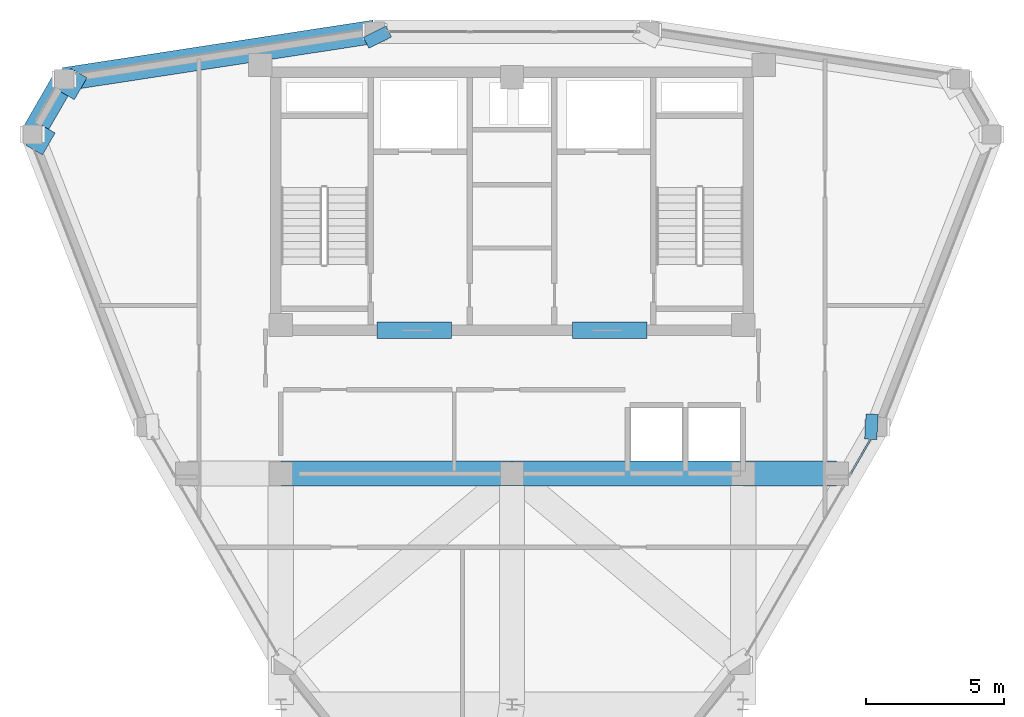
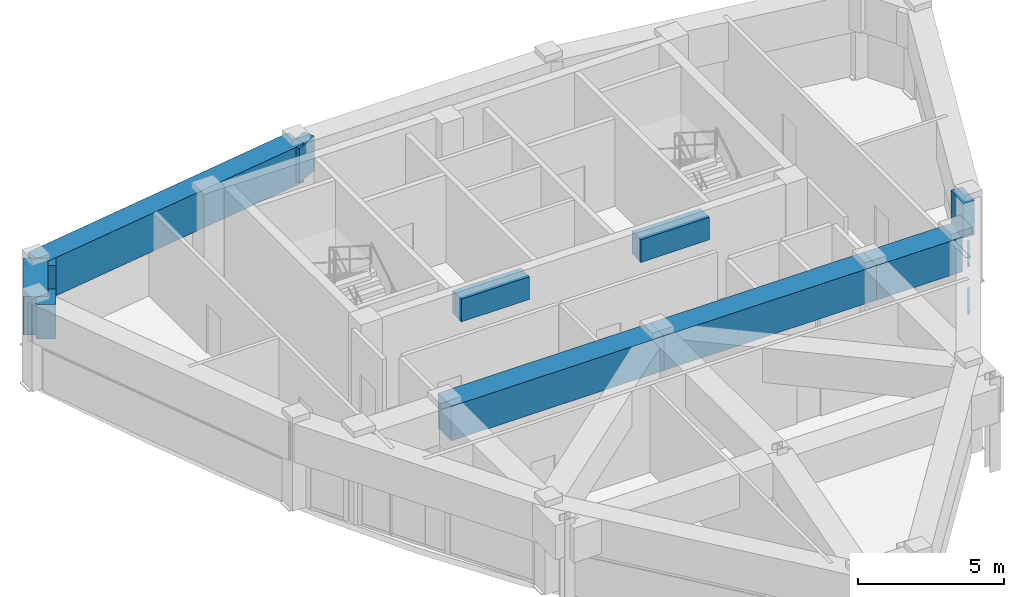
# One storey, part 6 of 13: 11 beams, 2 members, 1 element without a shape of its own.
"""IFC4 building model written with IfcOpenShell, lengths in metres."""

from ifc_helpers import new_model, si_unit, derived_unit, direction, frame, origin, origin_2d, place, context, subcontext, project, spatial, rectangle, hollow_rectangle, extrude, source, transform, mapped, material, layer, layer_set, material_profile, profile_set, type_object, element, aggregate, save


model = new_model("IFC4")

# Units and contexts
model_context = context("Model", 3, precision=1e-05, world=origin(), true_north=direction((0.0, 1.0)))
body_context = subcontext(model_context, "Body", "Model", "MODEL_VIEW")
ifc_project = project(units=[si_unit("LENGTHUNIT", "METRE"), si_unit("AREAUNIT", "SQUARE_METRE"), si_unit("VOLUMEUNIT", "CUBIC_METRE"), si_unit("PLANEANGLEUNIT", "RADIAN"), si_unit("MASSUNIT", "GRAM", prefix="KILO"), derived_unit("THERMALTRANSMITTANCEUNIT", [(si_unit("POWERUNIT", "WATT"), 1), (si_unit("LENGTHUNIT", "METRE"), -2), (si_unit("THERMODYNAMICTEMPERATUREUNIT", "KELVIN"), -1)])], contexts=[model_context])

# Site, building, storey
site_placement = place(None, origin())
site = spatial("IfcSite", under=ifc_project, at=site_placement, CompositionType="ELEMENT")
building_placement = place(site_placement, origin())
building = spatial("IfcBuilding", under=site, at=building_placement, Name="Korsvarv Bourse and Concert Hall", CompositionType="ELEMENT")
storey_placement = place(building_placement, frame((0.0, 0.0, 292.199951171875)))
storey = spatial("IfcBuildingStorey", under=building, at=storey_placement, Name="L76", CompositionType="ELEMENT", Elevation=292.199951171875)

# Beams
ifc_material_1 = material(Name="Concrete C55/67", Category="concrete")
ifc_material_profile_1 = material_profile(ifc_material_1, rectangle(XDim=0.60009765625, YDim=0.949951171875, at=origin_2d()), Name="RC-BM 600x950")
ifc_profile_set_1 = profile_set([ifc_material_profile_1], Name="Concrete C55/67")
beam_type_1 = type_object("IfcBeamType", Name="BM-CPL", PredefinedType="LINTEL", material=ifc_profile_set_1)
shared_shape_1 = source(origin(), body_context, "Body", "SweptSolid", [
    extrude(rectangle(XDim=0.60009765625, YDim=0.949951171875, at=origin_2d()), origin(), (0.0, 0.0, 1.0), 2.699951171875),
])
for number, where, z_axis, x_axis, name in (
    (1, (31.10009765625, 37.610107421875, 3.175048828125), (1.0, 0.0, 0.0), (0.0, 1.0, 0.0), "L76 Core Coupling Beam West"),
    (2, (38.199951171875, 37.610107421875, 3.175048828125), (1.0, 0.0, 0.0), (0.0, 1.0, 0.0), "L76 Core Coupling Beam East"),
):
    element("IfcBeam", number, at=place(storey_placement, frame(where, z_axis=z_axis, x_axis=x_axis)), inside=storey, type_object=beam_type_1, Name=name, PredefinedType="LINTEL", context=body_context, shape_type="MappedRepresentation", body=[
        mapped(shared_shape_1, transform((0.0, 0.0, 0.0), scale=1.0)),
    ])
ifc_material_2 = material(Name="Concrete C50/60", Category="concrete")
ifc_material_profile_2 = material_profile(ifc_material_2, rectangle(XDim=0.919921875, YDim=1.43994140625, at=origin_2d()), Name="RC-BM 920x1440")
ifc_profile_set_2 = profile_set([ifc_material_profile_2], Name="Concrete C50/60")
beam_type_2 = type_object("IfcBeamType", Name="BM-TR-144", PredefinedType="BEAM", material=ifc_profile_set_2)
shared_shape_2 = source(origin(), body_context, "Body", "SweptSolid", [
    extrude(rectangle(XDim=0.919921875, YDim=1.43994140625, at=origin_2d()), origin(), (0.0, 0.0, 1.0), 3.400146484375),
])
beam_1_placement = place(storey_placement, frame((44.39990234375, 32.39990234375, 2.929931640625), z_axis=(1.0, 0.0, 0.0), x_axis=(0.0, 1.0, 0.0)))
element("IfcBeam", 3, at=beam_1_placement, inside=storey, type_object=beam_type_2, Name="L76 beam B-TR4", PredefinedType="BEAM", context=body_context, shape_type="MappedRepresentation", body=[
    mapped(shared_shape_2, transform((0.0, 0.0, 0.0), scale=1.0)),
])
shared_shape_3 = source(origin(), body_context, "Body", "SweptSolid", [
    extrude(rectangle(XDim=0.919921875, YDim=1.43994140625, at=origin_2d()), origin(), (0.0, 0.0, 1.0), 8.39990234375),
])
for number, where, z_axis, x_axis, name in (
    (4, (27.60009765625, 32.39990234375, 2.929931640625), (1.0, 0.0, 0.0), (0.0, 1.0, 0.0), "L76 beam B-TR4"),
    (5, (36.0, 32.39990234375, 2.929931640625), (1.0, 0.0, 0.0), (0.0, 1.0, 0.0), "L76 beam B-TR4"),
):
    element("IfcBeam", number, at=place(storey_placement, frame(where, z_axis=z_axis, x_axis=x_axis)), inside=storey, type_object=beam_type_2, Name=name, PredefinedType="BEAM", context=body_context, shape_type="MappedRepresentation", body=[
        mapped(shared_shape_3, transform((0.0, 0.0, 0.0), scale=1.0)),
    ])
ifc_material_profile_3 = material_profile(ifc_material_1, rectangle(XDim=0.85009765625, YDim=1.60009765625, at=origin_2d()), Name="RC-BM 850x1600")
ifc_profile_set_3 = profile_set([ifc_material_profile_3], Name="Concrete C55/67")
beam_type_3 = type_object("IfcBeamType", Name="BM-TR1B", PredefinedType="BEAM", material=ifc_profile_set_3)
shared_shape_4 = source(origin(), body_context, "Body", "SweptSolid", [
    extrude(rectangle(XDim=0.85009765625, YDim=1.60009765625, at=origin_2d()), origin(), (0.0, 0.0, 1.0), 2.31689453125),
])
beam_2_placement = place(storey_placement, frame((19.725341796875, 46.73388671875, 2.85009765625), z_axis=(-0.499980886083, -0.866036438928, 0.0), x_axis=(0.866036438928, -0.499980886083, 0.0)))
element("IfcBeam", 6, at=beam_2_placement, inside=storey, type_object=beam_type_3, Name="L76 beam B-TR2", PredefinedType="BEAM", context=body_context, shape_type="MappedRepresentation", body=[
    mapped(shared_shape_4, transform((0.0, 0.0, 0.0), scale=1.0)),
])
shared_shape_5 = source(origin(), body_context, "Body", "SweptSolid", [
    extrude(rectangle(XDim=0.85009765625, YDim=1.60009765625, at=origin_2d()), origin(), (0.0, 0.0, 1.0), 11.417236328125),
])
beam_3_placement = place(storey_placement, frame((31.010986328125, 48.4619140625, 2.85009765625), z_axis=(-0.988479724873, -0.151353339953, 0.0), x_axis=(0.151353339953, -0.988479724873, 0.0)))
element("IfcBeam", 7, at=beam_3_placement, inside=storey, type_object=beam_type_3, Name="L76 beam B-TR2", PredefinedType="BEAM", context=body_context, shape_type="MappedRepresentation", body=[
    mapped(shared_shape_5, transform((0.0, 0.0, 0.0), scale=1.0)),
])
shared_shape_6 = source(origin(), body_context, "Body", "SweptSolid", [
    extrude(rectangle(XDim=0.919921875, YDim=1.43994140625, at=origin_2d()), origin(), (0.0, 0.0, 1.0), 0.690185546875),
])
for number, where, z_axis, x_axis, name in (
    (8, (19.725341796875, 46.73388671875, 2.929931640625), (0.866079547155, -0.499906209203, 0.0), (0.499906209203, 0.866079547155, 0.0), "L76 beam B-TR4"),
    (9, (18.56689453125, 44.727294921875, 2.929931640625), (0.866079547155, -0.499906209203, 0.0), (0.499906209203, 0.866079547155, 0.0), "L76 beam B-TR4"),
):
    element("IfcBeam", number, at=place(storey_placement, frame(where, z_axis=z_axis, x_axis=x_axis)), inside=storey, type_object=beam_type_2, Name=name, PredefinedType="BEAM", context=body_context, shape_type="MappedRepresentation", body=[
        mapped(shared_shape_6, transform((0.0, 0.0, 0.0), scale=1.0)),
    ])
shared_shape_7 = source(origin(), body_context, "Body", "SweptSolid", [
    extrude(rectangle(XDim=0.919921875, YDim=1.43994140625, at=origin_2d()), origin(), (0.0, 0.0, 1.0), 0.444091796875),
])
for number, where, z_axis, x_axis, name in (
    (10, (31.010986328125, 48.4619140625, 2.929931640625), (0.448532321776, -0.893766611774, 0.0), (0.893766611774, 0.448532321776, 0.0), "L76 beam B-TR4"),
    (11, (49.286865234375, 34.089599609375, 2.929931640625), (-0.998300809683, 0.058270862239, 0.0), (-0.058270862239, -0.998300809683, 0.0), "L76 beam B-TR4"),
):
    element("IfcBeam", number, at=place(storey_placement, frame(where, z_axis=z_axis, x_axis=x_axis)), inside=storey, type_object=beam_type_2, Name=name, PredefinedType="BEAM", context=body_context, shape_type="MappedRepresentation", body=[
        mapped(shared_shape_7, transform((0.0, 0.0, 0.0), scale=1.0)),
    ])

# Curtain wall, members
ifc_material_3 = material(Name="Anodised aluminium and triple low-E glazing", Category="glass")
ifc_layer = layer(ifc_material_3, 0.22998046875)
ifc_layer_set = layer_set([ifc_layer], Name="Anodised aluminium and triple low-E glazing")
curtain_wall_type = type_object("IfcCurtainWallType", Name="CW-SYS-6", PredefinedType="NOTDEFINED", material=ifc_layer_set)
curtain_wall_placement = place(storey_placement, origin())
curtain_wall = element("IfcCurtainWall", 12, at=curtain_wall_placement, inside=storey, type_object=curtain_wall_type, Name="L76 CW6 curtain wall CW-L76-CRN11-2", PredefinedType="NOTDEFINED")
ifc_material_4 = material(Name="Extruded aluminium EN AW-6063 T66", Category="aluminium")
ifc_material_profile_4 = material_profile(ifc_material_4, hollow_rectangle(XDim=0.06494140625, YDim=0.139892578125, WallThickness=0.00390625, at=origin_2d()), Name="ALU-T 65x140")
ifc_profile_set_4 = profile_set([ifc_material_profile_4], Name="Extruded aluminium EN AW-6063 T66")
member_type = type_object("IfcMemberType", Name="CWT-140", PredefinedType="USERDEFINED", material=ifc_profile_set_4)
shared_shape_8 = source(origin(), body_context, "Body", "SweptSolid", [
    extrude(hollow_rectangle(XDim=0.06494140625, YDim=0.139892578125, WallThickness=0.00390625, at=origin_2d()), origin(), (0.0, 0.0, 1.0), 1.421875),
])
member_1_placement = place(storey_placement, frame((48.31005859375, 32.397705078125, 0.032470703125), z_axis=(0.499980071345, 0.866036909293, 0.0), x_axis=(-0.866036909293, 0.499980071345, 0.0)))
member_1 = element("IfcMember", 13, at=member_1_placement, type_object=member_type, Name="CW6 transom 1.1", ObjectType="TRANSOM", PredefinedType="USERDEFINED", context=body_context, shape_type="MappedRepresentation", body=[
    mapped(shared_shape_8, transform((0.0, 0.0, 0.0), scale=1.0)),
])
member_2_placement = place(storey_placement, frame((48.31005859375, 32.397705078125, 2.017578125), z_axis=(0.499980071345, 0.866036909293, 0.0), x_axis=(-0.866036909293, 0.499980071345, 0.0)))
member_2 = element("IfcMember", 14, at=member_2_placement, type_object=member_type, Name="CW6 transom 1.2", ObjectType="TRANSOM", PredefinedType="USERDEFINED", context=body_context, shape_type="MappedRepresentation", body=[
    mapped(shared_shape_8, transform((0.0, 0.0, 0.0), scale=1.0)),
])
aggregate(curtain_wall, [member_1, member_2])

save(model, "model.ifc")
